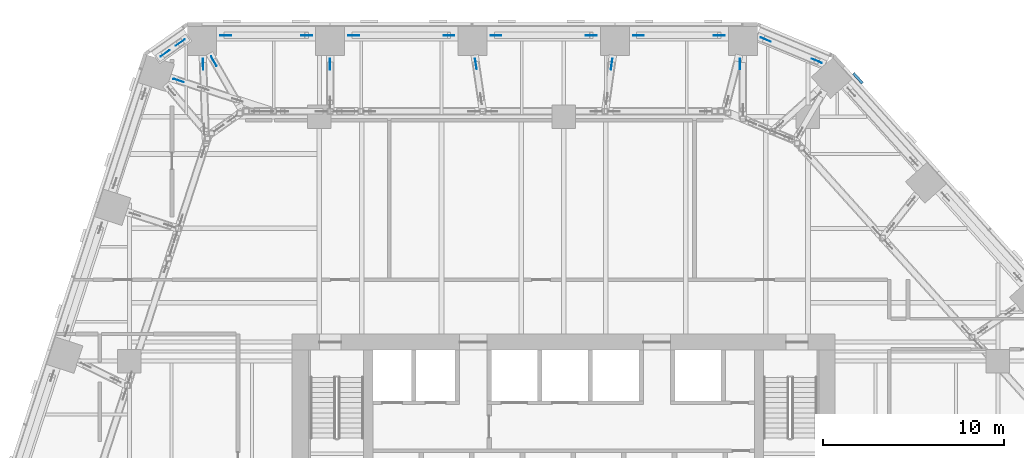
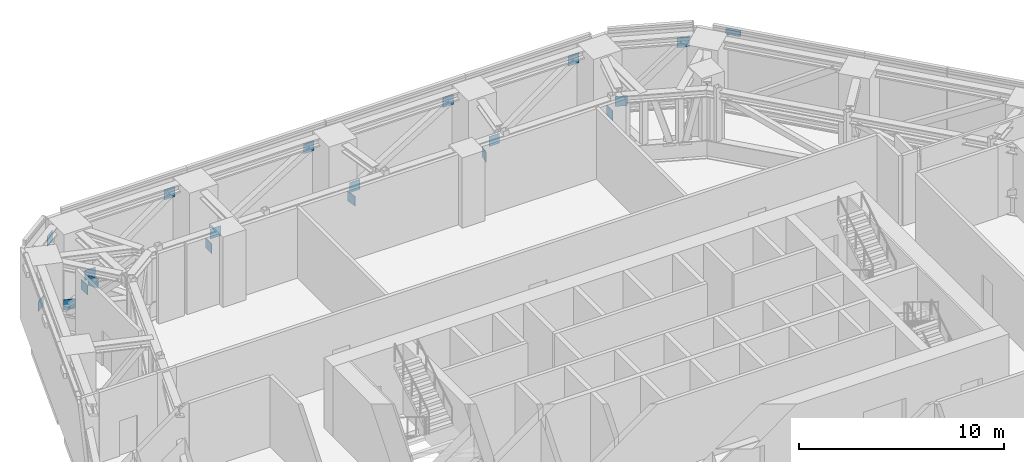
# One storey, part 34 of 36: 20 discrete accessories.
"""IFC4 building model written with IfcOpenShell, lengths in metres."""

from ifc_helpers import new_model, si_unit, direction, frame, origin, origin_2d, place, context, subcontext, project, spatial, rectangle, extrude, material, type_object, element, save


model = new_model("IFC4")

# Units and contexts
model_context = context("Model", 3, precision=1e-05, world=origin(), true_north=direction((0.0, 1.0)))
body_context = subcontext(model_context, "Body", "Model", "MODEL_VIEW")
ifc_project = project(units=[si_unit("LENGTHUNIT", "METRE"), si_unit("AREAUNIT", "SQUARE_METRE"), si_unit("VOLUMEUNIT", "CUBIC_METRE"), si_unit("PLANEANGLEUNIT", "RADIAN"), si_unit("MASSUNIT", "GRAM", prefix="KILO")], contexts=[model_context])

# Site, building, storey
site_placement = place(None, origin())
site = spatial("IfcSite", under=ifc_project, at=site_placement, CompositionType="ELEMENT")
building_placement = place(site_placement, origin())
building = spatial("IfcBuilding", under=site, at=building_placement, Name="Isthmus Gate Tower", CompositionType="ELEMENT")
storey_placement = place(building_placement, frame((0.0, 0.0, 117.14990234375)))
storey = spatial("IfcBuildingStorey", under=building, at=storey_placement, Name="L28", CompositionType="ELEMENT", Elevation=117.14990234375)

# Discrete accessories
ifc_material_1 = material(Name="Structural steel ASTM A572 Gr 50, white paint system", Category="steel")
discrete_accessory_type_1 = type_object("IfcDiscreteAccessoryType", Name="FIN BRACKET 748 X 150 X 300", PredefinedType="BRACKET", material=ifc_material_1)
discrete_accessory_placement = place(storey_placement, frame((16.259765625, 29.131103515625, 3.9501953125), z_axis=(0.0, 0.0, 1.0), x_axis=(0.743144825477, 0.669130606359, 0.0)))
element("IfcDiscreteAccessory", 1, at=discrete_accessory_placement, inside=storey, type_object=discrete_accessory_type_1, Name="FIN BRACKET", PredefinedType="BRACKET", context=body_context, shape_type="SweptSolid", body=[
    extrude(rectangle(XDim=0.14990234375, YDim=0.748046875, at=origin_2d()), origin(), (0.0, 0.0, 1.0), 0.300048828125),
])
ifc_material_2 = material(Name="Structural steel ASTM A992 Gr 50", Category="steel")
discrete_accessory_type_2 = type_object("IfcDiscreteAccessoryType", Name="GUSSET PLATE 600 X 20", PredefinedType="USERDEFINED", material=ifc_material_2)
for number, where, z_axis, x_axis, name in (
    (2, (11.16357421875, 31.2666015625, 0.1826171875), (0.0, 0.0, 1.0), (0.923353128387, -0.383951820282, 0.0), "GUSSET PLATE"),
    (3, (13.991943359375, 30.09033203125, 3.41748046875), (0.0, 0.0, 1.0), (0.923353128387, -0.383951820282, 0.0), "GUSSET PLATE"),
    (4, (-22.02587890625, 30.509521484375, 0.1826171875), (0.0, 0.0, 1.0), (0.81785959165, 0.57541783805, 0.0), "GUSSET PLATE"),
    (5, (-21.18505859375, 31.100830078125, 3.41748046875), (0.0, 0.0, 1.0), (0.81785959165, 0.57541783805, 0.0), "GUSSET PLATE"),
    (6, (-18.67626953125, 31.5, 0.1826171875), (0.0, 0.0, 1.0), (1.0, 0.0, 0.0), "GUSSET PLATE"),
    (7, (-14.206787109375, 31.5, 3.41748046875), (0.0, 0.0, 1.0), (1.0, 0.0, 0.0), "GUSSET PLATE"),
    (8, (-11.606689453125, 31.5, 0.1826171875), (0.0, 0.0, 1.0), (1.0, 0.0, 0.0), "GUSSET PLATE"),
    (9, (-6.337158203125, 31.5, 3.41748046875), (0.0, 0.0, 1.0), (1.0, 0.0, 0.0), "GUSSET PLATE"),
    (10, (-3.7373046875, 31.5, 0.1826171875), (0.0, 0.0, 1.0), (1.0, 0.0, 0.0), "GUSSET PLATE"),
    (11, (1.5322265625, 31.5, 3.41748046875), (0.0, 0.0, 1.0), (1.0, 0.0, 0.0), "GUSSET PLATE"),
    (12, (4.13232421875, 31.5, 0.1826171875), (0.0, 0.0, 1.0), (1.0, 0.0, 0.0), "GUSSET PLATE"),
    (13, (8.601806640625, 31.5, 3.41748046875), (0.0, 0.0, 1.0), (1.0, 0.0, 0.0), "GUSSET PLATE"),
    (14, (9.739990234375, 29.92041015625, 0.7890625), (0.0, 0.0, 1.0), (0.0, -1.0, 0.0), "GUSSET PLATE"),
    (15, (2.65283203125, 29.912353515625, 0.7890625), (0.0, 0.0, 1.0), (-0.138125919863, -0.990414675912, 0.0), "GUSSET PLATE"),
    (16, (-4.847412109375, 29.913818359375, 0.7890625), (0.0, 0.0, 1.0), (0.145979371577, -0.989287634146, 0.0), "GUSSET PLATE"),
    (17, (-12.90673828125, 29.89990234375, 0.7890625), (0.0, 0.0, 1.0), (0.0, -1.0, 0.0), "GUSSET PLATE"),
    (18, (-19.927978515625, 29.90087890625, 0.7890625), (0.0, 0.0, 1.0), (0.037172922591, -0.999308848068, 0.0), "GUSSET PLATE"),
    (19, (-21.279052734375, 29.005126953125, 0.7890625), (0.0, 0.0, 1.0), (0.951056516257, -0.309016994491, 0.0), "GUSSET PLATE"),
    (20, (-19.32958984375, 30.072265625, 0.7890625), (0.0, 0.0, 1.0), (0.497356883554, -0.867546039344, 0.0), "GUSSET PLATE"),
):
    element("IfcDiscreteAccessory", number, at=place(storey_placement, frame(where, z_axis=z_axis, x_axis=x_axis)), inside=storey, type_object=discrete_accessory_type_2, Name=name, ObjectType="GUSSET PLATE", PredefinedType="USERDEFINED", context=body_context, shape_type="SweptSolid", body=[
        extrude(rectangle(XDim=0.60009765625, YDim=0.02001953125, at=origin_2d()), origin(), (0.0, 0.0, 1.0), 0.60009765625),
    ])

save(model, "model.ifc")
